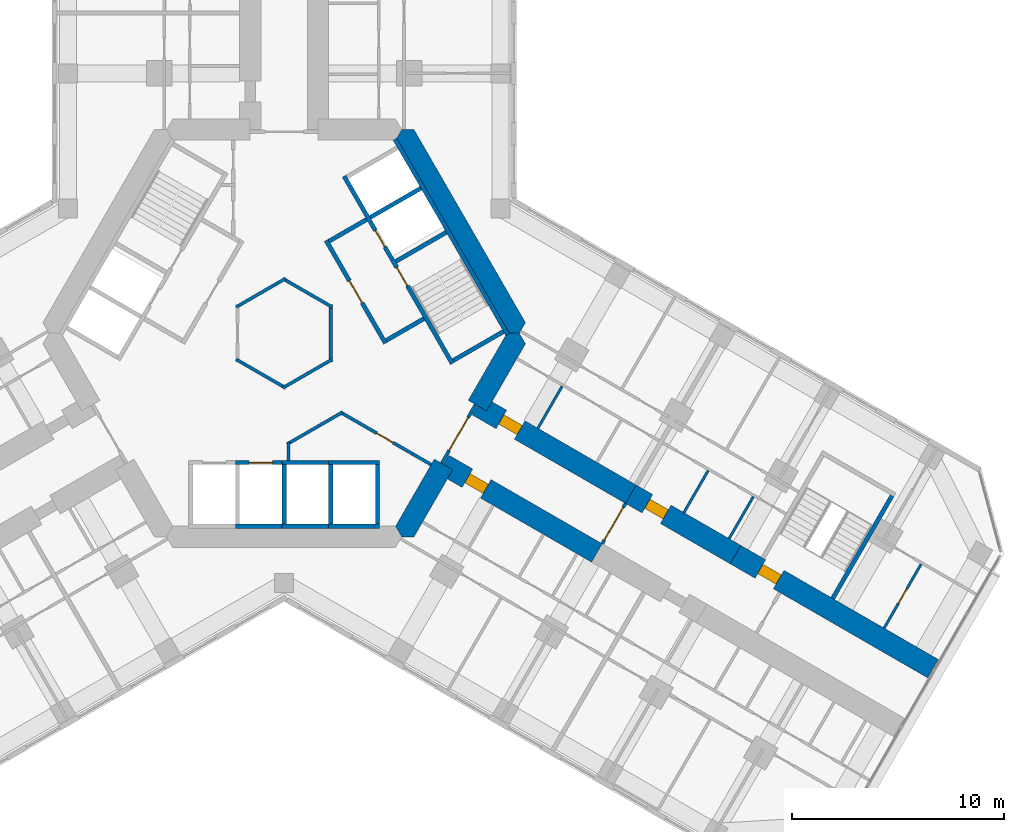
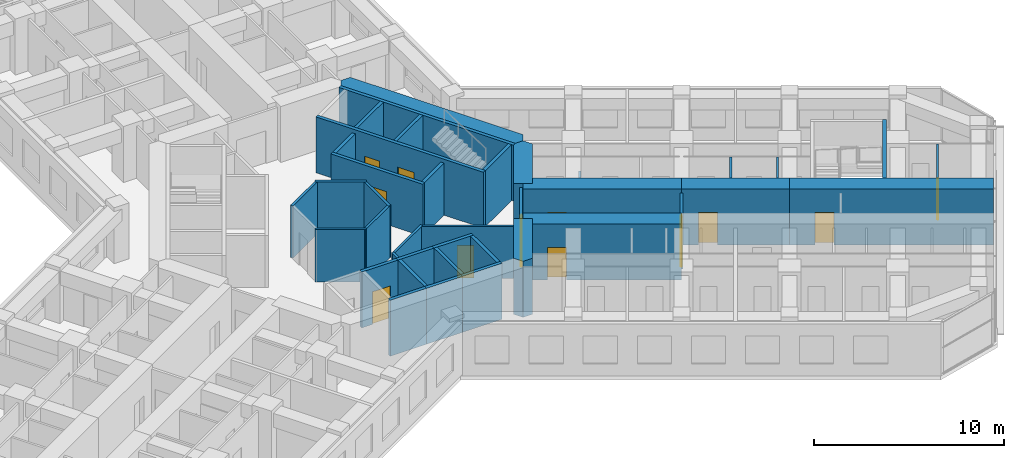
# One storey, part 15 of 21: 39 walls, 12 doors, 12 openings.
"""IFC4 building model written with IfcOpenShell, lengths in metres."""

from ifc_helpers import new_model, si_unit, direction, frame, frame_2d, origin, place, context, subcontext, project, spatial, polyline, rectangle, outline, extrude, material, layer, layer_set, type_object, element, fill, save


model = new_model("IFC4")

# Units and contexts
model_context = context("Model", 3, precision=1e-05, world=origin(), true_north=direction((0.0, 1.0)))
body_context = subcontext(model_context, "Body", "Model", "MODEL_VIEW")
ifc_project = project(units=[si_unit("LENGTHUNIT", "METRE"), si_unit("AREAUNIT", "SQUARE_METRE"), si_unit("VOLUMEUNIT", "CUBIC_METRE"), si_unit("PLANEANGLEUNIT", "RADIAN"), si_unit("MASSUNIT", "GRAM", prefix="KILO")], contexts=[model_context])

# Site, building, storey
site_placement = place(None, origin())
site = spatial("IfcSite", under=ifc_project, at=site_placement, CompositionType="ELEMENT")
building_placement = place(site_placement, origin())
building = spatial("IfcBuilding", under=site, at=building_placement, Name="Kosmar Iwan School Tower", CompositionType="ELEMENT")
storey_placement = place(building_placement, frame((0.0, 0.0, 98.800048828125)))
storey = spatial("IfcBuildingStorey", under=building, at=storey_placement, Name="L24", CompositionType="ELEMENT", Elevation=98.800048828125)

# Walls
ifc_material_1 = material(Name="Gypsum board on steel studs, fire-rated", Category="steel")
ifc_layer_1 = layer(ifc_material_1, 0.14990234375)
ifc_layer_set_1 = layer_set([ifc_layer_1], Name="Core room partition 150")
wall_type_1 = type_object("IfcWallType", Name="Core room partition 150", PredefinedType="PARTITIONING", material=ifc_layer_set_1)
for number, where, z_axis, x_axis, name in (
    (1, (2.264892578125, -1.232666015625, 0.0), (0.0, 0.0, 1.0), (-0.866011792348, -0.500023574959, 0.0), "Core room partition L24-CW4"),
    (2, (0.06494140625, -2.577880859375, 0.0), (0.0, 0.0, 1.0), (-0.866011792348, 0.500023574959, 0.0), "Core room partition L24-CW5"),
    (3, (-2.264892578125, 1.232666015625, 0.0), (0.0, 0.0, 1.0), (0.866011792348, 0.500023574959, 0.0), "Core room partition L24-CW7"),
    (4, (-0.06494140625, 2.577880859375, 0.0), (0.0, 0.0, 1.0), (0.866011792348, -0.500023574959, 0.0), "Core room partition L24-CW8"),
):
    element("IfcWall", number, at=place(storey_placement, frame(where, z_axis=z_axis, x_axis=x_axis)), inside=storey, type_object=wall_type_1, Name=name, PredefinedType="PARTITIONING", context=body_context, shape_type="SweptSolid", body=[
        extrude(rectangle(XDim=2.690185546875, YDim=0.14990234375, at=frame_2d((1.34521484375, 0.0))), origin(), (0.0, 0.0, 1.0), 3.349853515625),
    ])
wall_1_placement = place(storey_placement, frame((2.199951171875, 1.34521484375, 0.0), z_axis=(0.0, 0.0, 1.0), x_axis=(0.0, -1.0, 0.0)))
element("IfcWall", 5, at=wall_1_placement, inside=storey, type_object=wall_type_1, Name="Core room partition L24-CW9", PredefinedType="PARTITIONING", context=body_context, shape_type="SweptSolid", body=[
    extrude(rectangle(XDim=2.6904296875, YDim=0.14990234375, at=frame_2d((1.34521484375, 0.0))), origin(), (0.0, 0.0, 1.0), 3.349853515625),
])
wall_2_placement = place(storey_placement, frame((0.135009765625, -5.233642578125, 0.0), z_axis=(0.0, 0.0, 1.0), x_axis=(0.86603296153, 0.499986909372, 0.0)))
element("IfcWall", 6, at=wall_2_placement, inside=storey, type_object=wall_type_1, Name="Core room partition L24-CW10", PredefinedType="PARTITIONING", context=body_context, shape_type="SweptSolid", body=[
    extrude(rectangle(XDim=3.03662109375, YDim=0.14990234375, at=frame_2d((1.518310546875, 0.0))), origin(), (0.0, 0.0, 1.0), 3.349853515625),
])

# Wall, opening, door
wall_3_placement = place(storey_placement, frame((2.635009765625, -3.71533203125, 0.0), z_axis=(0.0, 0.0, 1.0), x_axis=(0.8660265831, -0.49999795736, 0.0)))
wall_3 = element("IfcWall", 7, at=wall_3_placement, inside=storey, type_object=wall_type_1, Name="Core room partition L24-CW11", PredefinedType="PARTITIONING", context=body_context, shape_type="SweptSolid", body=[
    extrude(rectangle(XDim=4.96044921875, YDim=0.14990234375, at=frame_2d((2.480224609375, 0.0))), origin(), (0.0, 0.0, 1.0), 3.349853515625),
])
opening_1_placement = place(wall_3_placement, frame((1.988037109375, 0.0, 0.0)))
opening_1 = element("IfcOpeningElement", 8, at=opening_1_placement, cuts=wall_3, Name="Opening D14", PredefinedType="OPENING", context=body_context, shape_type="SweptSolid", body=[
    extrude(rectangle(XDim=0.89990234375, YDim=2.10009765625, at=frame_2d((0.449951171875, 1.050048828125))), frame((0.0, 0.0869140625, 0.0), z_axis=(0.0, -1.0, 0.0), x_axis=(1.0, 0.0, 0.0)), (0.0, 0.0, 1.0), 0.173828125),
])
ifc_material_2 = material(Name="Timber fire door in steel frame", Category="steel")
door_type_1 = type_object("IfcDoorType", Name="Core room door 900x2100", OperationType="SINGLE_SWING_LEFT", PredefinedType="DOOR", material=ifc_material_2)
door_1_placement = place(opening_1_placement, origin())
door_1 = element("IfcDoor", 9, at=door_1_placement, inside=storey, type_object=door_type_1, Name="Staff WC door L24 4", OperationType="SINGLE_SWING_LEFT", OverallHeight=2.10009765625, OverallWidth=0.89990234375, PredefinedType="DOOR", context=body_context, shape_type="SweptSolid", body=[
    extrude(rectangle(XDim=0.89990234375, YDim=2.10009765625, at=frame_2d((0.449951171875, 1.050048828125))), frame((0.0, 0.02490234375, 0.0), z_axis=(0.0, -1.0, 0.0), x_axis=(1.0, 0.0, 0.0)), (0.0, 0.0, 1.0), 0.050048828125),
])
fill(opening_1, door_1)

# Walls
wall_4_placement = place(storey_placement, frame((0.199951171875, -6.0048828125, 0.0), z_axis=(0.0, 0.0, 1.0), x_axis=(0.0, 1.0, 0.0)))
element("IfcWall", 10, at=wall_4_placement, inside=storey, type_object=wall_type_1, Name="Core room partition L24-CW12", PredefinedType="PARTITIONING", context=body_context, shape_type="SweptSolid", body=[
    extrude(rectangle(XDim=0.8837890625, YDim=0.14990234375, at=frame_2d((0.44189453125, 0.0))), origin(), (0.0, 0.0, 1.0), 3.349853515625),
])
ifc_material_3 = material(Name="Concrete C50/60", Category="concrete")
ifc_layer_2 = layer(ifc_material_3, 1.0)
ifc_layer_set_2 = layer_set([ifc_layer_2], Name="Core wall 1000")
wall_type_2 = type_object("IfcWallType", Name="Core wall 1000", PredefinedType="SHEAR", material=ifc_layer_set_2)
wall_5_placement = place(storey_placement, origin())
element("IfcWall", 11, at=wall_5_placement, inside=storey, type_object=wall_type_2, Name="Core wall F030", PredefinedType="SHEAR", context=body_context, shape_type="SweptSolid", body=[
    extrude(outline(polyline([(10.5078125, 0.0), (11.085205078125, 0.0), (11.373779296875, 0.5), (6.119873046875, 9.60009765625), (5.54248046875, 9.60009765625), (5.25390625, 9.10009765625), (10.5078125, 0.0)])), origin(), (0.0, 0.0, 1.0), 3.599853515625),
])
wall_6_placement = place(storey_placement, origin())
element("IfcWall", 12, at=wall_6_placement, inside=storey, type_object=wall_type_2, Name="Core wall F330a", PredefinedType="SHEAR", context=body_context, shape_type="SweptSolid", body=[
    extrude(outline(polyline([(5.54248046875, -9.60009765625), (6.119873046875, -9.60009765625), (7.94677734375, -6.435546875), (7.080810546875, -5.935546875), (5.25390625, -9.10009765625), (5.54248046875, -9.60009765625)])), origin(), (0.0, 0.0, 1.0), 3.599853515625),
])
wall_7_placement = place(storey_placement, origin())
element("IfcWall", 13, at=wall_7_placement, inside=storey, type_object=wall_type_2, Name="Core wall F330b", PredefinedType="SHEAR", context=body_context, shape_type="SweptSolid", body=[
    extrude(outline(polyline([(9.546875, -3.664306640625), (11.373779296875, -0.5), (11.085205078125, 0.0), (10.5078125, 0.0), (8.680908203125, -3.164306640625), (9.546875, -3.664306640625)])), origin(), (0.0, 0.0, 1.0), 3.599853515625),
])

# Wall, opening, door
ifc_material_4 = material(Name="Concrete C50/60", Category="concrete")
ifc_layer_3 = layer(ifc_material_4, 1.0)
ifc_layer_set_3 = layer_set([ifc_layer_3], Name="Corridor buttress wall 1000")
wall_type_3 = type_object("IfcWallType", Name="Corridor buttress wall 1000", PredefinedType="SHEAR", material=ifc_layer_set_3)
wall_8_placement = place(storey_placement, frame((9.11376953125, -3.414306640625, 0.0), z_axis=(0.0, 0.0, 1.0), x_axis=(0.866026859388, -0.499997478812, 0.0)))
wall_8 = element("IfcWall", 14, at=wall_8_placement, inside=storey, type_object=wall_type_3, Name="Corridor wall CL", PredefinedType="SHEAR", context=body_context, shape_type="SweptSolid", body=[
    extrude(rectangle(XDim=8.35009765625, YDim=1.0, at=frame_2d((4.175048828125, 0.0))), origin(), (0.0, 0.0, 1.0), 3.599853515625),
])
opening_2_placement = place(wall_8_placement, frame((1.300048828125, 0.0, 0.0)))
opening_2 = element("IfcOpeningElement", 15, at=opening_2_placement, cuts=wall_8, Name="Opening D1", PredefinedType="OPENING", context=body_context, shape_type="SweptSolid", body=[
    extrude(rectangle(XDim=1.0, YDim=2.10009765625, at=frame_2d((0.5, 1.050048828125))), frame((0.0, 0.511962890625, 0.0), z_axis=(0.0, -1.0, 0.0), x_axis=(1.0, 0.0, 0.0)), (0.0, 0.0, 1.0), 1.02392578125),
])
ifc_material_5 = material(Name="Timber fire door in steel frame", Category="steel")
door_type_2 = type_object("IfcDoorType", Name="Flat entrance door 1000x2100", OperationType="SINGLE_SWING_LEFT", PredefinedType="DOOR", material=ifc_material_5)
door_2_placement = place(opening_2_placement, origin())
door_2 = element("IfcDoor", 16, at=door_2_placement, inside=storey, type_object=door_type_2, Name="Flat L24-CL1 entrance door", OperationType="SINGLE_SWING_RIGHT", OverallHeight=2.10009765625, OverallWidth=1.0, PredefinedType="DOOR", context=body_context, shape_type="SweptSolid", body=[
    extrude(rectangle(XDim=1.0, YDim=2.10009765625, at=frame_2d((0.5, 1.050048828125))), frame((0.0, 0.25, 0.0), z_axis=(0.0, -1.0, 0.0), x_axis=(1.0, 0.0, 0.0)), (0.0, 0.0, 1.0), 0.5),
])
fill(opening_2, door_2)

wall_9_placement = place(storey_placement, frame((16.34521484375, -7.58935546875, 0.0), z_axis=(0.0, 0.0, 1.0), x_axis=(0.866015111908, -0.50001782563, 0.0)))
wall_9 = element("IfcWall", 17, at=wall_9_placement, inside=storey, type_object=wall_type_3, Name="Corridor wall CL bay 2", PredefinedType="SHEAR", context=body_context, shape_type="SweptSolid", body=[
    extrude(rectangle(XDim=5.699951171875, YDim=1.0, at=frame_2d((2.85009765625, 0.0))), origin(), (0.0, 0.0, 1.0), 3.599853515625),
])
opening_3_placement = place(wall_9_placement, frame((0.89990234375, 0.0, 0.0)))
opening_3 = element("IfcOpeningElement", 18, at=opening_3_placement, cuts=wall_9, Name="Opening D1", PredefinedType="OPENING", context=body_context, shape_type="SweptSolid", body=[
    extrude(rectangle(XDim=1.0, YDim=2.10009765625, at=frame_2d((0.5, 1.050048828125))), frame((0.0, 0.511962890625, 0.0), z_axis=(0.0, -1.0, 0.0), x_axis=(1.0, 0.0, 0.0)), (0.0, 0.0, 1.0), 1.02392578125),
])
door_3_placement = place(opening_3_placement, origin())
door_3 = element("IfcDoor", 19, at=door_3_placement, inside=storey, type_object=door_type_2, Name="Flat L24-CL2 entrance door", OperationType="SINGLE_SWING_RIGHT", OverallHeight=2.10009765625, OverallWidth=1.0, PredefinedType="DOOR", context=body_context, shape_type="SweptSolid", body=[
    extrude(rectangle(XDim=1.0, YDim=2.10009765625, at=frame_2d((0.5, 1.050048828125))), frame((0.0, 0.25, 0.0), z_axis=(0.0, -1.0, 0.0), x_axis=(1.0, 0.0, 0.0)), (0.0, 0.0, 1.0), 0.5),
])
fill(opening_3, door_3)

wall_10_placement = place(storey_placement, frame((21.281494140625, -10.439453125, 0.0), z_axis=(0.0, 0.0, 1.0), x_axis=(0.866032345022, -0.499987977232, 0.0)))
wall_10 = element("IfcWall", 20, at=wall_10_placement, inside=storey, type_object=wall_type_3, Name="Corridor wall CL bay 3", PredefinedType="SHEAR", context=body_context, shape_type="SweptSolid", body=[
    extrude(rectangle(XDim=10.744873046875, YDim=1.0, at=frame_2d((5.37255859375, 0.0))), origin(), (0.0, 0.0, 1.0), 3.599853515625),
])
opening_4_placement = place(wall_10_placement, frame((1.35009765625, 0.0, 0.0)))
opening_4 = element("IfcOpeningElement", 21, at=opening_4_placement, cuts=wall_10, Name="Opening D6", PredefinedType="OPENING", context=body_context, shape_type="SweptSolid", body=[
    extrude(rectangle(XDim=1.0, YDim=2.10009765625, at=frame_2d((0.5, 1.050048828125))), frame((0.0, 0.511962890625, 0.0), z_axis=(0.0, -1.0, 0.0), x_axis=(1.0, 0.0, 0.0)), (0.0, 0.0, 1.0), 1.02392578125),
])
ifc_material_6 = material(Name="Steel fire door", Category="steel")
door_type_3 = type_object("IfcDoorType", Name="Stair door 1000x2100", OperationType="SINGLE_SWING_LEFT", PredefinedType="DOOR", material=ifc_material_6)
door_4_placement = place(opening_4_placement, origin())
door_4 = element("IfcDoor", 22, at=door_4_placement, inside=storey, type_object=door_type_3, Name="Stair WS3 door L24", OperationType="SINGLE_SWING_LEFT", OverallHeight=2.10009765625, OverallWidth=1.0, PredefinedType="DOOR", context=body_context, shape_type="SweptSolid", body=[
    extrude(rectangle(XDim=1.0, YDim=2.10009765625, at=frame_2d((0.5, 1.050048828125))), frame((0.0, 0.25, 0.0), z_axis=(0.0, -1.0, 0.0), x_axis=(1.0, 0.0, 0.0)), (0.0, 0.0, 1.0), 0.5),
])
fill(opening_4, door_4)

wall_11_placement = place(storey_placement, frame((7.513916015625, -6.185546875, 0.0), z_axis=(0.0, 0.0, 1.0), x_axis=(0.866019549707, -0.500010139422, 0.0)))
wall_11 = element("IfcWall", 23, at=wall_11_placement, inside=storey, type_object=wall_type_3, Name="Corridor wall CR", PredefinedType="SHEAR", context=body_context, shape_type="SweptSolid", body=[
    extrude(rectangle(XDim=8.349853515625, YDim=1.0, at=frame_2d((4.1748046875, 0.0))), origin(), (0.0, 0.0, 1.0), 3.599853515625),
])
opening_5_placement = place(wall_11_placement, frame((1.300048828125, 0.0, 0.0)))
opening_5 = element("IfcOpeningElement", 24, at=opening_5_placement, cuts=wall_11, Name="Opening D1", PredefinedType="OPENING", context=body_context, shape_type="SweptSolid", body=[
    extrude(rectangle(XDim=1.0, YDim=2.10009765625, at=frame_2d((0.5, 1.050048828125))), frame((0.0, 0.511962890625, 0.0), z_axis=(0.0, -1.0, 0.0), x_axis=(1.0, 0.0, 0.0)), (0.0, 0.0, 1.0), 1.02392578125),
])
door_5_placement = place(opening_5_placement, origin())
door_5 = element("IfcDoor", 25, at=door_5_placement, inside=storey, type_object=door_type_2, Name="Flat L24-CR1 entrance door", OperationType="SINGLE_SWING_LEFT", OverallHeight=2.10009765625, OverallWidth=1.0, PredefinedType="DOOR", context=body_context, shape_type="SweptSolid", body=[
    extrude(rectangle(XDim=1.0, YDim=2.10009765625, at=frame_2d((0.5, 1.050048828125))), frame((0.0, 0.25, 0.0), z_axis=(0.0, -1.0, 0.0), x_axis=(1.0, 0.0, 0.0)), (0.0, 0.0, 1.0), 0.5),
])
fill(opening_5, door_5)

ifc_material_7 = material(Name="Gypsum board on steel studs, fire-rated", Category="steel")
ifc_layer_4 = layer(ifc_material_7, 0.14990234375)
ifc_layer_set_4 = layer_set([ifc_layer_4], Name="Corridor end wall 150")
wall_type_4 = type_object("IfcWallType", Name="Corridor end wall 150", PredefinedType="PARTITIONING", material=ifc_layer_set_4)
wall_12_placement = place(storey_placement, frame((14.9951171875, -9.927734375, 0.0), z_axis=(0.0, 0.0, 1.0), x_axis=(0.50002983664, 0.866008176907, 0.0)))
wall_12 = element("IfcWall", 26, at=wall_12_placement, inside=storey, type_object=wall_type_4, Name="Partition L24-C-HW", PredefinedType="PARTITIONING", context=body_context, shape_type="SweptSolid", body=[
    extrude(rectangle(XDim=2.199951171875, YDim=0.14990234375, at=frame_2d((1.10009765625, 0.0))), origin(), (0.0, 0.0, 1.0), 3.349853515625),
])
opening_6_placement = place(wall_12_placement, frame((0.199951171875, 0.0, 0.0)))
opening_6 = element("IfcOpeningElement", 27, at=opening_6_placement, cuts=wall_12, Name="Opening D9", PredefinedType="OPENING", context=body_context, shape_type="SweptSolid", body=[
    extrude(rectangle(XDim=1.800048828125, YDim=2.10009765625, at=frame_2d((0.89990234375, 1.050048828125))), frame((0.0, 0.0869140625, 0.0), z_axis=(0.0, -1.0, 0.0), x_axis=(1.0, 0.0, 0.0)), (0.0, 0.0, 1.0), 0.173828125),
])
ifc_material_8 = material(Name="Steel framed glazed smoke door", Category="steel")
door_type_4 = type_object("IfcDoorType", Name="Corridor smoke door pair 1800x2100", OperationType="DOUBLE_DOOR_DOUBLE_SWING", PredefinedType="DOOR", material=ifc_material_8)
door_6_placement = place(opening_6_placement, origin())
door_6 = element("IfcDoor", 28, at=door_6_placement, inside=storey, type_object=door_type_4, Name="Entrance vestibule smoke doors L24-C", OperationType="DOUBLE_DOOR_DOUBLE_SWING", OverallHeight=2.10009765625, OverallWidth=1.800048828125, PredefinedType="DOOR", context=body_context, shape_type="SweptSolid", body=[
    extrude(rectangle(XDim=1.800048828125, YDim=2.10009765625, at=frame_2d((0.89990234375, 1.050048828125))), frame((0.0, 0.02490234375, 0.0), z_axis=(0.0, -1.0, 0.0), x_axis=(1.0, 0.0, 0.0)), (0.0, 0.0, 1.0), 0.050048828125),
])
fill(opening_6, door_6)

ifc_material_9 = material(Name="Steel framed glazed screen", Category="steel")
ifc_layer_5 = layer(ifc_material_9, 0.14990234375)
ifc_layer_set_5 = layer_set([ifc_layer_5], Name="Corridor screen wall 150")
wall_type_5 = type_object("IfcWallType", Name="Corridor screen wall 150", PredefinedType="PARTITIONING", material=ifc_layer_set_5)
wall_13_placement = place(storey_placement, frame((7.42724609375, -6.1357421875, 0.0), z_axis=(0.0, 0.0, 1.0), x_axis=(0.499995408039, 0.866028054938, 0.0)))
wall_13 = element("IfcWall", 29, at=wall_13_placement, inside=storey, type_object=wall_type_5, Name="Corridor screen C L24", PredefinedType="PARTITIONING", context=body_context, shape_type="SweptSolid", body=[
    extrude(rectangle(XDim=3.2001953125, YDim=0.14990234375, at=frame_2d((1.60009765625, 0.0))), origin(), (0.0, 0.0, 1.0), 3.349853515625),
])
opening_7_placement = place(wall_13_placement, frame((0.699951171875, 0.0, 0.0)))
opening_7 = element("IfcOpeningElement", 30, at=opening_7_placement, cuts=wall_13, Name="Opening D9", PredefinedType="OPENING", context=body_context, shape_type="SweptSolid", body=[
    extrude(rectangle(XDim=1.800048828125, YDim=2.10009765625, at=frame_2d((0.89990234375, 1.050048828125))), frame((0.0, 0.0869140625, 0.0), z_axis=(0.0, -1.0, 0.0), x_axis=(1.0, 0.0, 0.0)), (0.0, 0.0, 1.0), 0.173828125),
])
door_7_placement = place(opening_7_placement, origin())
door_7 = element("IfcDoor", 31, at=door_7_placement, inside=storey, type_object=door_type_4, Name="Corridor doors C L24", OperationType="DOUBLE_DOOR_DOUBLE_SWING", OverallHeight=2.10009765625, OverallWidth=1.800048828125, PredefinedType="DOOR", context=body_context, shape_type="SweptSolid", body=[
    extrude(rectangle(XDim=1.800048828125, YDim=2.10009765625, at=frame_2d((0.89990234375, 1.050048828125))), frame((0.0, 0.02490234375, 0.0), z_axis=(0.0, -1.0, 0.0), x_axis=(1.0, 0.0, 0.0)), (0.0, 0.0, 1.0), 0.050048828125),
])
fill(opening_7, door_7)

# Walls
ifc_material_10 = material(Name="Gypsum board on steel studs", Category="steel")
ifc_layer_6 = layer(ifc_material_10, 0.1201171875)
ifc_layer_set_6 = layer_set([ifc_layer_6], Name="Dwelling partition 120")
wall_type_6 = type_object("IfcWallType", Name="Dwelling partition 120", PredefinedType="PARTITIONING", material=ifc_layer_set_6)
wall_14_placement = place(storey_placement, frame((11.9619140625, -4.4814453125, 0.0), z_axis=(0.0, 0.0, 1.0), x_axis=(0.499968531483, 0.866043571379, 0.0)))
element("IfcWall", 32, at=wall_14_placement, inside=storey, type_object=wall_type_6, Name="Partition L24-CL1-Y1", PredefinedType="PARTITIONING", context=body_context, shape_type="SweptSolid", body=[
    extrude(rectangle(XDim=2.290283203125, YDim=0.1201171875, at=frame_2d((1.14501953125, 0.0))), origin(), (0.0, 0.0, 1.0), 2.449951171875),
])
for number, where, z_axis, x_axis, name in (
    (33, (18.846923828125, -8.456298828125, 0.0), (0.0, 0.0, 1.0), (0.500014693593, 0.866016920268, 0.0), "Partition L24-CL2-Y1"),
    (34, (20.977294921875, -9.686279296875, 0.0), (0.0, 0.0, 1.0), (0.500014693593, 0.866016920268, 0.0), "Partition L24-CL2-Y2"),
):
    element("IfcWall", number, at=place(storey_placement, frame(where, z_axis=z_axis, x_axis=x_axis)), inside=storey, type_object=wall_type_6, Name=name, PredefinedType="PARTITIONING", context=body_context, shape_type="SweptSolid", body=[
        extrude(rectangle(XDim=2.2900390625, YDim=0.1201171875, at=frame_2d((1.14501953125, 0.0))), origin(), (0.0, 0.0, 1.0), 3.349853515625),
    ])

# Wall, opening, door
wall_15_placement = place(storey_placement, frame((28.286376953125, -13.90625, 0.0), z_axis=(0.0, 0.0, 1.0), x_axis=(0.50002117804, 0.866013176292, 0.0)))
wall_15 = element("IfcWall", 35, at=wall_15_placement, inside=storey, type_object=wall_type_6, Name="Partition L24-CL2-TY", PredefinedType="PARTITIONING", context=body_context, shape_type="SweptSolid", body=[
    extrude(rectangle(XDim=3.489990234375, YDim=0.1201171875, at=frame_2d((1.7451171875, 0.0))), origin(), (0.0, 0.0, 1.0), 3.349853515625),
])
opening_8_placement = place(wall_15_placement, frame((1.344970703125, 0.0, 0.0)))
opening_8 = element("IfcOpeningElement", 36, at=opening_8_placement, cuts=wall_15, Name="Opening D3", PredefinedType="OPENING", context=body_context, shape_type="SweptSolid", body=[
    extrude(rectangle(XDim=0.800048828125, YDim=2.10009765625, at=frame_2d((0.39990234375, 1.050048828125))), frame((0.0, 0.072021484375, 0.0), z_axis=(0.0, -1.0, 0.0), x_axis=(1.0, 0.0, 0.0)), (0.0, 0.0, 1.0), 0.14404296875),
])
ifc_material_11 = material(Name="Timber door in timber frame", Category="wood")
door_type_5 = type_object("IfcDoorType", Name="Sanitary room door 800x2100", OperationType="SINGLE_SWING_LEFT", PredefinedType="DOOR", material=ifc_material_11)
door_8_placement = place(opening_8_placement, origin())
door_8 = element("IfcDoor", 37, at=door_8_placement, inside=storey, type_object=door_type_5, Name="Shower room door L24-CL2-T4", OperationType="SINGLE_SWING_RIGHT", OverallHeight=2.10009765625, OverallWidth=0.800048828125, PredefinedType="DOOR", context=body_context, shape_type="SweptSolid", body=[
    extrude(rectangle(XDim=0.800048828125, YDim=2.10009765625, at=frame_2d((0.39990234375, 1.050048828125))), frame((0.0, 0.02490234375, 0.0), z_axis=(0.0, -1.0, 0.0), x_axis=(1.0, 0.0, 0.0)), (0.0, 0.0, 1.0), 0.050048828125),
])
fill(opening_8, door_8)

# Wall
ifc_material_12 = material(Name="Concrete C35/45", Category="concrete")
ifc_layer_7 = layer(ifc_material_12, 0.199951171875)
ifc_layer_set_7 = layer_set([ifc_layer_7], Name="Escape stair wall 200")
wall_type_7 = type_object("IfcWallType", Name="Escape stair wall 200", PredefinedType="SHEAR", material=ifc_layer_set_7)
wall_16_placement = place(storey_placement, frame((25.861572265625, -12.50634765625, 0.0), z_axis=(0.0, 0.0, 1.0), x_axis=(0.500018801468, 0.86601454848, 0.0)))
element("IfcWall", 38, at=wall_16_placement, inside=storey, type_object=wall_type_7, Name="Stair WS3 wall", PredefinedType="SHEAR", context=body_context, shape_type="SweptSolid", body=[
    extrude(rectangle(XDim=5.800048828125, YDim=0.199951171875, at=frame_2d((2.89990234375, 0.0))), origin(), (0.0, 0.0, 1.0), 3.329833984375),
])

# Wall, opening, door
ifc_material_13 = material(Name="Concrete block masonry", Category="masonry")
ifc_layer_8 = layer(ifc_material_13, 0.199951171875)
ifc_layer_set_8 = layer_set([ifc_layer_8], Name="Fire lobby wall 200")
wall_type_8 = type_object("IfcWallType", Name="Fire lobby wall 200", PredefinedType="PARTITIONING", material=ifc_layer_set_8)
wall_17_placement = place(storey_placement, frame((4.777587890625, -0.474853515625, 0.0), z_axis=(0.0, 0.0, 1.0), x_axis=(-0.500016814911, 0.866015695474, 0.0)))
wall_17 = element("IfcWall", 39, at=wall_17_placement, inside=storey, type_object=wall_type_8, Name="Firefighting lobby wall ST1", PredefinedType="PARTITIONING", context=body_context, shape_type="SweptSolid", body=[
    extrude(rectangle(XDim=5.599853515625, YDim=0.199951171875, at=frame_2d((2.7998046875, 0.0))), origin(), (0.0, 0.0, 1.0), 3.349853515625),
])
opening_9_placement = place(wall_17_placement, frame((2.199951171875, 0.0, 0.0)))
opening_9 = element("IfcOpeningElement", 40, at=opening_9_placement, cuts=wall_17, Name="Opening D7", PredefinedType="OPENING", context=body_context, shape_type="SweptSolid", body=[
    extrude(rectangle(XDim=1.199951171875, YDim=2.10009765625, at=frame_2d((0.60009765625, 1.050048828125))), frame((0.0, 0.112060546875, 0.0), z_axis=(0.0, -1.0, 0.0), x_axis=(1.0, 0.0, 0.0)), (0.0, 0.0, 1.0), 0.223876953125),
])
ifc_material_14 = material(Name="Steel fire door", Category="steel")
door_type_6 = type_object("IfcDoorType", Name="Fire lobby door 1200x2100", OperationType="SINGLE_SWING_LEFT", PredefinedType="DOOR", material=ifc_material_14)
door_9_placement = place(opening_9_placement, origin())
door_9 = element("IfcDoor", 41, at=door_9_placement, inside=storey, type_object=door_type_6, Name="Firefighting lobby door ST1 L24", OperationType="SINGLE_SWING_RIGHT", OverallHeight=2.10009765625, OverallWidth=1.199951171875, PredefinedType="DOOR", context=body_context, shape_type="SweptSolid", body=[
    extrude(rectangle(XDim=1.199951171875, YDim=2.10009765625, at=frame_2d((0.60009765625, 1.050048828125))), frame((0.0, 0.02490234375, 0.0), z_axis=(0.0, -1.0, 0.0), x_axis=(1.0, 0.0, 0.0)), (0.0, 0.0, 1.0), 0.050048828125),
])
fill(opening_9, door_9)

# Walls
wall_18_placement = place(storey_placement, frame((4.814208984375, -0.33837890625, 0.0), z_axis=(0.0, 0.0, 1.0), x_axis=(0.865969381856, 0.500097020274, 0.0)))
element("IfcWall", 42, at=wall_18_placement, inside=storey, type_object=wall_type_8, Name="Firefighting lobby wall ST1", PredefinedType="PARTITIONING", context=body_context, shape_type="SweptSolid", body=[
    extrude(rectangle(XDim=2.0498046875, YDim=0.199951171875, at=frame_2d((1.02490234375, 0.0))), origin(), (0.0, 0.0, 1.0), 3.349853515625),
])
wall_19_placement = place(storey_placement, frame((2.114013671875, 4.33837890625, 0.0), z_axis=(0.0, 0.0, 1.0), x_axis=(0.866050731258, 0.499956128963, 0.0)))
element("IfcWall", 43, at=wall_19_placement, inside=storey, type_object=wall_type_8, Name="Firefighting lobby wall ST1", PredefinedType="PARTITIONING", context=body_context, shape_type="SweptSolid", body=[
    extrude(rectangle(XDim=2.050048828125, YDim=0.199951171875, at=frame_2d((1.02490234375, 0.0))), origin(), (0.0, 0.0, 1.0), 3.349853515625),
])

# Wall, openings, doors
ifc_material_15 = material(Name="Concrete C50/60", Category="concrete")
ifc_layer_9 = layer(ifc_material_15, 0.199951171875)
ifc_layer_set_9 = layer_set([ifc_layer_9], Name="Lift shaft wall 200")
wall_type_9 = type_object("IfcWallType", Name="Lift shaft wall 200", PredefinedType="SHEAR", material=ifc_layer_set_9)
wall_20_placement = place(storey_placement, frame((7.926025390625, -1.42822265625, 0.0), z_axis=(0.0, 0.0, 1.0), x_axis=(-0.499998023675, 0.866026544813, 0.0)))
wall_20 = element("IfcWall", 44, at=wall_20_placement, inside=storey, type_object=wall_type_9, Name="Lift and stair front wall AC", PredefinedType="SHEAR", context=body_context, shape_type="SweptSolid", body=[
    extrude(rectangle(XDim=10.19970703125, YDim=0.199951171875, at=frame_2d((5.099853515625, 0.0))), origin(), (0.0, 0.0, 1.0), 3.599853515625),
])
opening_10_placement = place(wall_20_placement, frame((6.35009765625, 0.0, 0.0)))
opening_10 = element("IfcOpeningElement", 45, at=opening_10_placement, cuts=wall_20, Name="Opening LD2", PredefinedType="OPENING", context=body_context, shape_type="SweptSolid", body=[
    extrude(rectangle(XDim=0.89990234375, YDim=2.10009765625, at=frame_2d((0.449951171875, 1.050048828125))), frame((0.0, 0.112060546875, 0.0), z_axis=(0.0, -1.0, 0.0), x_axis=(1.0, 0.0, 0.0)), (0.0, 0.0, 1.0), 0.223876953125),
])
opening_11_placement = place(wall_20_placement, frame((4.22998046875, 0.0, 0.0)))
opening_11 = element("IfcOpeningElement", 46, at=opening_11_placement, cuts=wall_20, Name="Opening D6", PredefinedType="OPENING", context=body_context, shape_type="SweptSolid", body=[
    extrude(rectangle(XDim=1.0, YDim=2.10009765625, at=frame_2d((0.5, 1.050048828125))), frame((0.0, 0.112060546875, 0.0), z_axis=(0.0, -1.0, 0.0), x_axis=(1.0, 0.0, 0.0)), (0.0, 0.0, 1.0), 0.223876953125),
])
ifc_material_16 = material(Name="Stainless steel sliding lift door", Category="steel")
door_type_7 = type_object("IfcDoorType", Name="Firefighting lift landing door 900x2100", OperationType="SLIDING_TO_LEFT", PredefinedType="DOOR", material=ifc_material_16)
door_10_placement = place(opening_10_placement, origin())
door_10 = element("IfcDoor", 47, at=door_10_placement, inside=storey, type_object=door_type_7, Name="Lift FF1 landing door L24", OperationType="SLIDING_TO_LEFT", OverallHeight=2.10009765625, OverallWidth=0.89990234375, PredefinedType="DOOR", context=body_context, shape_type="SweptSolid", body=[
    extrude(rectangle(XDim=0.89990234375, YDim=2.10009765625, at=frame_2d((0.449951171875, 1.050048828125))), frame((0.0, 0.02490234375, 0.0), z_axis=(0.0, -1.0, 0.0), x_axis=(1.0, 0.0, 0.0)), (0.0, 0.0, 1.0), 0.050048828125),
])
fill(opening_10, door_10)
door_11_placement = place(opening_11_placement, origin())
door_11 = element("IfcDoor", 48, at=door_11_placement, inside=storey, type_object=door_type_3, Name="Stair ST1 door L24", OperationType="SINGLE_SWING_LEFT", OverallHeight=2.10009765625, OverallWidth=1.0, PredefinedType="DOOR", context=body_context, shape_type="SweptSolid", body=[
    extrude(rectangle(XDim=1.0, YDim=2.10009765625, at=frame_2d((0.5, 1.050048828125))), frame((0.0, 0.02490234375, 0.0), z_axis=(0.0, -1.0, 0.0), x_axis=(1.0, 0.0, 0.0)), (0.0, 0.0, 1.0), 0.050048828125),
])
fill(opening_11, door_11)

# Walls
wall_21_placement = place(storey_placement, frame((10.53662109375, -0.050048828125, 0.0), z_axis=(0.0, 0.0, 1.0), x_axis=(-0.499994998079, 0.866028291626, 0.0)))
element("IfcWall", 49, at=wall_21_placement, inside=storey, type_object=wall_type_9, Name="Lift and stair back wall AC", PredefinedType="SHEAR", context=body_context, shape_type="SweptSolid", body=[
    extrude(rectangle(XDim=10.623046875, YDim=0.199951171875, at=frame_2d((5.3115234375, 0.0))), origin(), (0.0, 0.0, 1.0), 3.599853515625),
])
wall_22_placement = place(storey_placement, frame((4.062744140625, 5.46337890625, 0.0), z_axis=(0.0, 0.0, 1.0), x_axis=(0.866027397988, 0.499996545922, 0.0)))
element("IfcWall", 50, at=wall_22_placement, inside=storey, type_object=wall_type_9, Name="Lift shaft wall AC 1", PredefinedType="SHEAR", context=body_context, shape_type="SweptSolid", body=[
    extrude(rectangle(XDim=2.75, YDim=0.199951171875, at=frame_2d((1.375, 0.0))), origin(), (0.0, 0.0, 1.0), 3.599853515625),
])

# Wall, opening, door
wall_23_placement = place(storey_placement, frame((-2.300048828125, -6.10009765625, 0.0), z_axis=(0.0, 0.0, 1.0), x_axis=(1.0, 0.0, 0.0)))
wall_23 = element("IfcWall", 51, at=wall_23_placement, inside=storey, type_object=wall_type_9, Name="Lift and stair front wall BC", PredefinedType="SHEAR", context=body_context, shape_type="SweptSolid", body=[
    extrude(rectangle(XDim=2.199951171875, YDim=0.199951171875, at=frame_2d((1.10009765625, 0.0))), origin(), (0.0, 0.0, 1.0), 3.599853515625),
])
opening_12_placement = place(wall_23_placement, frame((0.64990234375, 0.0, 0.0)))
opening_12 = element("IfcOpeningElement", 52, at=opening_12_placement, cuts=wall_23, Name="Opening LD1", PredefinedType="OPENING", context=body_context, shape_type="SweptSolid", body=[
    extrude(rectangle(XDim=1.10009765625, YDim=2.10009765625, at=frame_2d((0.550048828125, 1.050048828125))), frame((0.0, 0.112060546875, 0.0), z_axis=(0.0, -1.0, 0.0), x_axis=(1.0, 0.0, 0.0)), (0.0, 0.0, 1.0), 0.223876953125),
])
ifc_material_17 = material(Name="Stainless steel sliding lift door", Category="steel")
door_type_8 = type_object("IfcDoorType", Name="Lift landing door 1100x2100", OperationType="SLIDING_TO_LEFT", PredefinedType="DOOR", material=ifc_material_17)
door_12_placement = place(opening_12_placement, origin())
door_12 = element("IfcDoor", 53, at=door_12_placement, inside=storey, type_object=door_type_8, Name="Lift PL2 landing door L24", OperationType="SLIDING_TO_LEFT", OverallHeight=2.10009765625, OverallWidth=1.10009765625, PredefinedType="DOOR", context=body_context, shape_type="SweptSolid", body=[
    extrude(rectangle(XDim=1.10009765625, YDim=2.10009765625, at=frame_2d((0.550048828125, 1.050048828125))), frame((0.0, 0.02490234375, 0.0), z_axis=(0.0, -1.0, 0.0), x_axis=(1.0, 0.0, 0.0)), (0.0, 0.0, 1.0), 0.050048828125),
])
fill(opening_12, door_12)

# Walls
wall_24_placement = place(storey_placement, frame((-2.300048828125, -9.10009765625, 0.0), z_axis=(0.0, 0.0, 1.0), x_axis=(1.0, 0.0, 0.0)))
element("IfcWall", 54, at=wall_24_placement, inside=storey, type_object=wall_type_9, Name="Lift and stair back wall BC", PredefinedType="SHEAR", context=body_context, shape_type="SweptSolid", body=[
    extrude(rectangle(XDim=2.199951171875, YDim=0.199951171875, at=frame_2d((1.10009765625, 0.0))), origin(), (0.0, 0.0, 1.0), 3.599853515625),
])
for number, where, z_axis, x_axis, name in (
    (55, (-0.10009765625, -6.10009765625, 0.0), (0.0, 0.0, 1.0), (1.0, 0.0, 0.0), "Lift and stair front wall BC"),
    (56, (-0.10009765625, -9.10009765625, 0.0), (0.0, 0.0, 1.0), (1.0, 0.0, 0.0), "Lift and stair back wall BC"),
):
    element("IfcWall", number, at=place(storey_placement, frame(where, z_axis=z_axis, x_axis=x_axis)), inside=storey, type_object=wall_type_9, Name=name, PredefinedType="SHEAR", context=body_context, shape_type="SweptSolid", body=[
        extrude(rectangle(XDim=2.2001953125, YDim=0.199951171875, at=frame_2d((1.10009765625, 0.0))), origin(), (0.0, 0.0, 1.0), 3.599853515625),
    ])
for number, where, z_axis, x_axis, name in (
    (57, (2.10009765625, -6.10009765625, 0.0), (0.0, 0.0, 1.0), (1.0, 0.0, 0.0), "Lift and stair front wall BC"),
    (58, (2.10009765625, -9.10009765625, 0.0), (0.0, 0.0, 1.0), (1.0, 0.0, 0.0), "Lift and stair back wall BC"),
):
    element("IfcWall", number, at=place(storey_placement, frame(where, z_axis=z_axis, x_axis=x_axis)), inside=storey, type_object=wall_type_9, Name=name, PredefinedType="SHEAR", context=body_context, shape_type="SweptSolid", body=[
        extrude(rectangle(XDim=2.39990234375, YDim=0.199951171875, at=frame_2d((1.199951171875, 0.0))), origin(), (0.0, 0.0, 1.0), 3.599853515625),
    ])
for number, where, z_axis, x_axis, name in (
    (59, (0.0, -6.199951171875, 0.0), (0.0, 0.0, 1.0), (0.0, -1.0, 0.0), "Lift shaft wall BC 2"),
    (60, (2.199951171875, -6.199951171875, 0.0), (0.0, 0.0, 1.0), (0.0, -1.0, 0.0), "Lift shaft wall BC 3"),
    (61, (4.39990234375, -6.199951171875, 0.0), (0.0, 0.0, 1.0), (0.0, -1.0, 0.0), "Lift shaft wall BC 4"),
):
    element("IfcWall", number, at=place(storey_placement, frame(where, z_axis=z_axis, x_axis=x_axis)), inside=storey, type_object=wall_type_9, Name=name, PredefinedType="SHEAR", context=body_context, shape_type="SweptSolid", body=[
        extrude(rectangle(XDim=2.800048828125, YDim=0.199951171875, at=frame_2d((1.39990234375, 0.0))), origin(), (0.0, 0.0, 1.0), 3.599853515625),
    ])
ifc_material_18 = material(Name="Concrete C50/60", Category="concrete")
ifc_layer_10 = layer(ifc_material_18, 0.199951171875)
ifc_layer_set_10 = layer_set([ifc_layer_10], Name="Stair enclosure wall 200")
wall_type_10 = type_object("IfcWallType", Name="Stair enclosure wall 200", PredefinedType="SHEAR", material=ifc_layer_set_10)
for number, where, z_axis, x_axis, name in (
    (62, (7.962646484375, -1.291748046875, 0.0), (0.0, 0.0, 1.0), (0.866027397988, 0.499996545922, 0.0), "Stair ST1 wall"),
    (63, (5.2626953125, 3.384765625, 0.0), (0.0, 0.0, 1.0), (0.866027397988, 0.499996545922, 0.0), "Stair ST1 wall"),
):
    element("IfcWall", number, at=place(storey_placement, frame(where, z_axis=z_axis, x_axis=x_axis)), inside=storey, type_object=wall_type_10, Name=name, PredefinedType="SHEAR", context=body_context, shape_type="SweptSolid", body=[
        extrude(rectangle(XDim=2.75, YDim=0.199951171875, at=frame_2d((1.375, 0.0))), origin(), (0.0, 0.0, 1.0), 3.599853515625),
    ])

save(model, "model.ifc")
